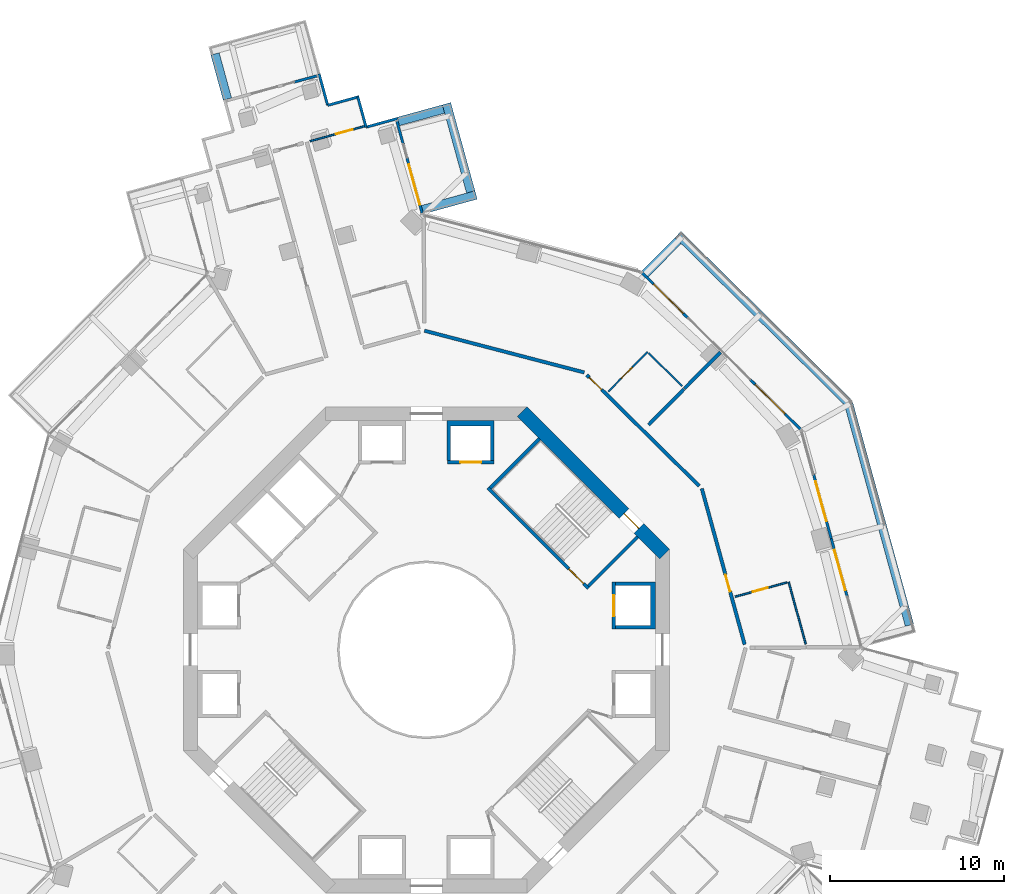
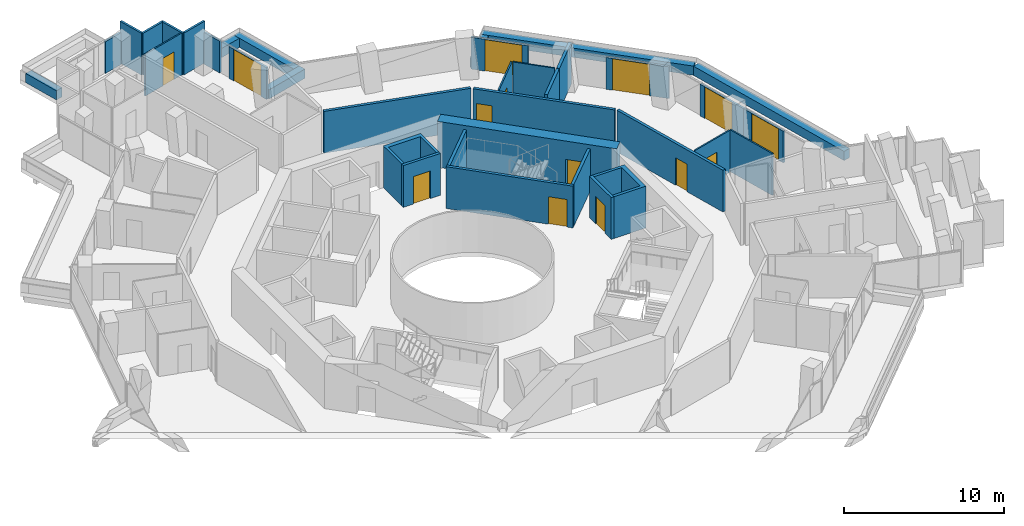
# One storey, part 22 of 26: 36 walls, 14 doors, 14 openings.
"""IFC4 building model written with IfcOpenShell, lengths in metres."""

from ifc_helpers import new_model, si_unit, direction, frame, frame_2d, origin, place, context, subcontext, project, spatial, polyline, rectangle, outline, extrude, material, layer, layer_set, type_object, element, fill, save


model = new_model("IFC4")

# Units and contexts
model_context = context("Model", 3, precision=1e-05, world=origin(), true_north=direction((0.0, 1.0)))
body_context = subcontext(model_context, "Body", "Model", "MODEL_VIEW")
ifc_project = project(units=[si_unit("LENGTHUNIT", "METRE"), si_unit("AREAUNIT", "SQUARE_METRE"), si_unit("VOLUMEUNIT", "CUBIC_METRE"), si_unit("PLANEANGLEUNIT", "RADIAN"), si_unit("MASSUNIT", "GRAM", prefix="KILO")], contexts=[model_context])

# Site, building, storey
site_placement = place(None, origin())
site = spatial("IfcSite", under=ifc_project, at=site_placement, CompositionType="ELEMENT")
building_placement = place(site_placement, origin())
building = spatial("IfcBuilding", under=site, at=building_placement, Name="Verdalira Terraces Hotel", CompositionType="ELEMENT")
storey_placement = place(building_placement, frame((0.0, 0.0, 96.5)))
storey = spatial("IfcBuildingStorey", under=building, at=storey_placement, Name="L22", CompositionType="ELEMENT", Elevation=96.5)

# Walls
ifc_material_1 = material(Name="Concrete C40", Category="concrete")
ifc_layer_1 = layer(ifc_material_1, 0.5)
ifc_layer_set_1 = layer_set([ifc_layer_1], Name="Balcony planter trough with tree")
wall_type_1 = type_object("IfcWallType", Name="Balcony planter trough with tree", PredefinedType="SOLIDWALL", material=ifc_layer_set_1)
wall_1_placement = place(storey_placement, frame((-12.178223, 34.329102, 0.0), z_axis=(0.0, 0.0, 1.0), x_axis=(0.264862126, -0.964286293, 0.0)))
element("IfcWall", 1, at=wall_1_placement, inside=storey, type_object=wall_type_1, Name="Balcony planter", PredefinedType="SOLIDWALL", context=body_context, shape_type="SweptSolid", body=[
    extrude(rectangle(XDim=2.698975, YDim=0.5, at=frame_2d((1.349609, 0.0))), origin(), (0.0, 0.0, 1.0), 0.699951),
])
wall_2_placement = place(storey_placement, frame((27.825684, 1.421387, 0.0), z_axis=(0.0, 0.0, 1.0), x_axis=(-0.264886985, 0.964279464, 0.0)))
element("IfcWall", 2, at=wall_2_placement, inside=storey, type_object=wall_type_1, Name="Balcony planter", PredefinedType="SOLIDWALL", context=body_context, shape_type="SweptSolid", body=[
    extrude(rectangle(XDim=13.223389, YDim=0.5, at=frame_2d((6.611816, 0.0))), origin(), (0.0, 0.0, 1.0), 0.699951),
])
wall_3_placement = place(storey_placement, frame((24.257568, 14.28418, 0.0), z_axis=(0.0, 0.0, 1.0), x_axis=(-0.711531471, 0.702654229, 0.0)))
element("IfcWall", 3, at=wall_3_placement, inside=storey, type_object=wall_type_1, Name="Balcony planter", PredefinedType="SOLIDWALL", context=body_context, shape_type="SweptSolid", body=[
    extrude(rectangle(XDim=13.723389, YDim=0.5, at=frame_2d((6.861816, 0.0))), origin(), (0.0, 0.0, 1.0), 0.699951),
])
wall_4_placement = place(storey_placement, frame((14.495117, 23.573486, 0.0), z_axis=(0.0, 0.0, 1.0), x_axis=(-0.702615333, -0.71156988, 0.0)))
element("IfcWall", 4, at=wall_4_placement, inside=storey, type_object=wall_type_1, Name="Balcony planter", PredefinedType="SOLIDWALL", context=body_context, shape_type="SweptSolid", body=[
    extrude(rectangle(XDim=2.699219, YDim=0.5, at=frame_2d((1.349609, 0.0))), origin(), (0.0, 0.0, 1.0), 0.699951),
])
wall_5_placement = place(storey_placement, frame((-0.223145, 25.35498, 0.0), z_axis=(0.0, 0.0, 1.0), x_axis=(0.964276089, 0.264899272, 0.0)))
element("IfcWall", 5, at=wall_5_placement, inside=storey, type_object=wall_type_1, Name="Balcony planter", PredefinedType="SOLIDWALL", context=body_context, shape_type="SweptSolid", body=[
    extrude(rectangle(XDim=3.198975, YDim=0.5, at=frame_2d((1.599609, 0.0))), origin(), (0.0, 0.0, 1.0), 0.699951),
])
wall_6_placement = place(storey_placement, frame((2.554443, 26.377197, 0.0), z_axis=(0.0, 0.0, 1.0), x_axis=(-0.264880843, 0.964281151, 0.0)))
element("IfcWall", 6, at=wall_6_placement, inside=storey, type_object=wall_type_1, Name="Balcony planter", PredefinedType="SOLIDWALL", context=body_context, shape_type="SweptSolid", body=[
    extrude(rectangle(XDim=5.270264, YDim=0.5, at=frame_2d((2.635254, 0.0))), origin(), (0.0, 0.0, 1.0), 0.699951),
])
wall_7_placement = place(storey_placement, frame((0.983398, 31.151855, 0.0), z_axis=(0.0, 0.0, 1.0), x_axis=(-0.964286293, -0.264862126, 0.0)))
element("IfcWall", 7, at=wall_7_placement, inside=storey, type_object=wall_type_1, Name="Balcony planter", PredefinedType="SOLIDWALL", context=body_context, shape_type="SweptSolid", body=[
    extrude(rectangle(XDim=2.698975, YDim=0.5, at=frame_2d((1.349609, 0.0))), origin(), (0.0, 0.0, 1.0), 0.699951),
])

# Wall, opening, door
ifc_material_2 = material(Name="Moisture-resistant gypsum board partition")
ifc_layer_2 = layer(ifc_material_2, 0.10009765625)
ifc_layer_set_2 = layer_set([ifc_layer_2], Name="Bathroom partition 100 mm")
wall_type_2 = type_object("IfcWallType", Name="Bathroom partition 100 mm", PredefinedType="PARTITIONING", material=ifc_layer_set_2)
wall_8_placement = place(storey_placement, frame((-3.564697, 30.161865, 0.0), z_axis=(0.0, 0.0, 1.0), x_axis=(-0.964284048, -0.264870299, 0.0)))
wall_8 = element("IfcWall", 8, at=wall_8_placement, inside=storey, type_object=wall_type_2, Name="Bathroom partition", PredefinedType="PARTITIONING", context=body_context, shape_type="SweptSolid", body=[
    extrude(rectangle(XDim=3.251953, YDim=0.100098, at=frame_2d((1.625977, 0.0))), origin(), (0.0, 0.0, 1.0), 3.189941),
])
opening_1_placement = place(wall_8_placement, frame((0.699951, 0.0, 0.0)))
opening_1 = element("IfcOpeningElement", 9, at=opening_1_placement, cuts=wall_8, Name="Opening L22-102", PredefinedType="OPENING", context=body_context, shape_type="SweptSolid", body=[
    extrude(rectangle(XDim=1.0, YDim=2.100098, at=frame_2d((0.5, 1.050049))), frame((0.0, 0.060059, 0.0), z_axis=(0.0, -1.0, 0.0), x_axis=(1.0, 0.0, 0.0)), (0.0, 0.0, 1.0), 0.120117),
])
ifc_material_3 = material(Name="Timber door", Category="wood")
door_type_1 = type_object("IfcDoorType", Name="Suite internal door 1000 x 2100", OperationType="NOTDEFINED", PredefinedType="DOOR", material=ifc_material_3)
door_1_placement = place(opening_1_placement, origin())
door_1 = element("IfcDoor", 10, at=door_1_placement, inside=storey, type_object=door_type_1, Name="Suite internal door 2201", OperationType="SINGLE_SWING_LEFT", OverallHeight=2.10009765625, OverallWidth=1.0, PredefinedType="DOOR", context=body_context, shape_type="SweptSolid", body=[
    extrude(rectangle(XDim=1.0, YDim=2.100098, at=frame_2d((0.5, 1.050049))), frame((0.0, 0.024902, 0.0), z_axis=(0.0, -1.0, 0.0), x_axis=(1.0, 0.0, 0.0)), (0.0, 0.0, 1.0), 0.050049),
])
fill(opening_1, door_1)

wall_9_placement = place(storey_placement, frame((12.732422, 17.162842, 0.0), z_axis=(0.0, 0.0, 1.0), x_axis=(-0.702667882, -0.711517988, 0.0)))
wall_9 = element("IfcWall", 11, at=wall_9_placement, inside=storey, type_object=wall_type_2, Name="Bathroom partition", PredefinedType="PARTITIONING", context=body_context, shape_type="SweptSolid", body=[
    extrude(rectangle(XDim=3.199951, YDim=0.100098, at=frame_2d((1.600098, 0.0))), origin(), (0.0, 0.0, 1.0), 3.189941),
])
opening_2_placement = place(wall_9_placement, frame((1.25, 0.0, 0.0)))
opening_2 = element("IfcOpeningElement", 12, at=opening_2_placement, cuts=wall_9, Name="Opening L22-135", PredefinedType="OPENING", context=body_context, shape_type="SweptSolid", body=[
    extrude(rectangle(XDim=0.899902, YDim=2.100098, at=frame_2d((0.449951, 1.050049))), frame((0.0, 0.060059, 0.0), z_axis=(0.0, -1.0, 0.0), x_axis=(1.0, 0.0, 0.0)), (0.0, 0.0, 1.0), 0.120117),
])
ifc_material_4 = material(Name="Timber door", Category="wood")
door_type_2 = type_object("IfcDoorType", Name="Bathroom door 900 x 2100", OperationType="NOTDEFINED", PredefinedType="DOOR", material=ifc_material_4)
door_2_placement = place(opening_2_placement, origin())
door_2 = element("IfcDoor", 13, at=door_2_placement, inside=storey, type_object=door_type_2, Name="Bathroom door 2214", OperationType="SINGLE_SWING_LEFT", OverallHeight=2.10009765625, OverallWidth=0.89990234375, PredefinedType="DOOR", context=body_context, shape_type="SweptSolid", body=[
    extrude(rectangle(XDim=0.899902, YDim=2.100098, at=frame_2d((0.449951, 1.050049))), frame((0.0, 0.024902, 0.0), z_axis=(0.0, -1.0, 0.0), x_axis=(1.0, 0.0, 0.0)), (0.0, 0.0, 1.0), 0.050049),
])
fill(opening_2, door_2)

# Wall
wall_10_placement = place(storey_placement, frame((12.803467, 17.092529, 0.0), z_axis=(0.0, 0.0, 1.0), x_axis=(0.711523533, -0.702662267, 0.0)))
element("IfcWall", 14, at=wall_10_placement, inside=storey, type_object=wall_type_2, Name="Bathroom partition", PredefinedType="PARTITIONING", context=body_context, shape_type="SweptSolid", body=[
    extrude(rectangle(XDim=2.699951, YDim=0.100098, at=frame_2d((1.350098, 0.0))), origin(), (0.0, 0.0, 1.0), 3.189941),
])

# Wall, opening, door
wall_11_placement = place(storey_placement, frame((20.771973, 3.882568, 0.0), z_axis=(0.0, 0.0, 1.0), x_axis=(-0.964267784, -0.264929502, 0.0)))
wall_11 = element("IfcWall", 15, at=wall_11_placement, inside=storey, type_object=wall_type_2, Name="Bathroom partition", PredefinedType="PARTITIONING", context=body_context, shape_type="SweptSolid", body=[
    extrude(rectangle(XDim=3.100098, YDim=0.100098, at=frame_2d((1.550049, 0.0))), origin(), (0.0, 0.0, 1.0), 3.189941),
])
opening_3_placement = place(wall_11_placement, frame((1.149902, 0.0, 0.0)))
opening_3 = element("IfcOpeningElement", 16, at=opening_3_placement, cuts=wall_11, Name="Opening L22-133", PredefinedType="OPENING", context=body_context, shape_type="SweptSolid", body=[
    extrude(rectangle(XDim=0.899902, YDim=2.100098, at=frame_2d((0.449951, 1.050049))), frame((0.0, 0.060059, 0.0), z_axis=(0.0, -1.0, 0.0), x_axis=(1.0, 0.0, 0.0)), (0.0, 0.0, 1.0), 0.120117),
])
door_3_placement = place(opening_3_placement, origin())
door_3 = element("IfcDoor", 17, at=door_3_placement, inside=storey, type_object=door_type_2, Name="Bathroom door 2213", OperationType="SINGLE_SWING_LEFT", OverallHeight=2.10009765625, OverallWidth=0.89990234375, PredefinedType="DOOR", context=body_context, shape_type="SweptSolid", body=[
    extrude(rectangle(XDim=0.899902, YDim=2.100098, at=frame_2d((0.449951, 1.050049))), frame((0.0, 0.024902, 0.0), z_axis=(0.0, -1.0, 0.0), x_axis=(1.0, 0.0, 0.0)), (0.0, 0.0, 1.0), 0.050049),
])
fill(opening_3, door_3)

# Walls
wall_12_placement = place(storey_placement, frame((20.868408, 3.908936, 0.0), z_axis=(0.0, 0.0, 1.0), x_axis=(0.264851593, -0.964289186, 0.0)))
element("IfcWall", 18, at=wall_12_placement, inside=storey, type_object=wall_type_2, Name="Bathroom partition", PredefinedType="PARTITIONING", context=body_context, shape_type="SweptSolid", body=[
    extrude(rectangle(XDim=3.703857, YDim=0.100098, at=frame_2d((1.852051, 0.0))), origin(), (0.0, 0.0, 1.0), 3.189941),
])
ifc_material_5 = material(Name="Concrete C50", Category="concrete")
ifc_layer_3 = layer(ifc_material_5, 0.199951171875)
ifc_layer_set_3 = layer_set([ifc_layer_3], Name="Core RC wall 200 C50")
wall_type_3 = type_object("IfcWallType", Name="Core RC wall 200 C50", PredefinedType="SOLIDWALL", material=ifc_layer_set_3)
wall_13_placement = place(storey_placement, origin())
element("IfcWall", 19, at=wall_13_placement, inside=storey, type_object=wall_type_3, Name="L22 shaft wall E2", PredefinedType="SOLIDWALL", context=body_context, shape_type="SweptSolid", body=[
    extrude(outline(polyline([(13.199951, 3.899902), (13.199951, 1.199951), (10.899902, 1.199951), (10.899902, 1.399902), (12.899902, 1.399902), (12.899902, 3.699951), (10.899902, 3.699951), (10.899902, 3.899902), (13.199951, 3.899902)])), origin(), (0.0, 0.0, 1.0), 3.189941),
])

# Wall, opening, door
wall_14_placement = place(storey_placement, frame((10.800049, 1.199951, 0.0), z_axis=(0.0, 0.0, 1.0), x_axis=(0.0, 1.0, 0.0)))
wall_14 = element("IfcWall", 20, at=wall_14_placement, inside=storey, type_object=wall_type_3, Name="L22 shaft front wall E2", PredefinedType="SOLIDWALL", context=body_context, shape_type="SweptSolid", body=[
    extrude(rectangle(XDim=2.699951, YDim=0.199951, at=frame_2d((1.350098, 0.0))), origin(), (0.0, 0.0, 1.0), 3.189941),
])
opening_4_placement = place(wall_14_placement, frame((0.75, 0.0, 0.0)))
opening_4 = element("IfcOpeningElement", 21, at=opening_4_placement, cuts=wall_14, Name="Opening LD-L22-802", PredefinedType="OPENING", context=body_context, shape_type="SweptSolid", body=[
    extrude(rectangle(XDim=1.199951, YDim=2.100098, at=frame_2d((0.600098, 1.050049))), frame((0.0, 0.109863, 0.0), z_axis=(0.0, -1.0, 0.0), x_axis=(1.0, 0.0, 0.0)), (0.0, 0.0, 1.0), 0.219971),
])
ifc_material_6 = material(Name="Stainless steel", Category="steel")
door_type_3 = type_object("IfcDoorType", Name="Landing door 1200 x 2100", OperationType="NOTDEFINED", PredefinedType="DOOR", material=ifc_material_6)
door_4_placement = place(opening_4_placement, origin())
door_4 = element("IfcDoor", 22, at=door_4_placement, inside=storey, type_object=door_type_3, Name="Lift landing door LR2 L22", OperationType="DOUBLE_DOOR_SLIDING", OverallHeight=2.10009765625, OverallWidth=1.199951171875, PredefinedType="DOOR", context=body_context, shape_type="SweptSolid", body=[
    extrude(rectangle(XDim=1.199951, YDim=2.100098, at=frame_2d((0.600098, 1.050049))), frame((0.0, 0.024902, 0.0), z_axis=(0.0, -1.0, 0.0), x_axis=(1.0, 0.0, 0.0)), (0.0, 0.0, 1.0), 0.050049),
])
fill(opening_4, door_4)

# Wall
wall_15_placement = place(storey_placement, origin())
element("IfcWall", 23, at=wall_15_placement, inside=storey, type_object=wall_type_3, Name="L22 shaft wall N1", PredefinedType="SOLIDWALL", context=body_context, shape_type="SweptSolid", body=[
    extrude(outline(polyline([(3.899902, 13.199951), (3.899902, 10.899902), (3.699951, 10.899902), (3.699951, 12.899902), (1.399902, 12.899902), (1.399902, 10.899902), (1.199951, 10.899902), (1.199951, 13.199951), (3.899902, 13.199951)])), origin(), (0.0, 0.0, 1.0), 3.189941),
])

# Wall, opening, door
wall_16_placement = place(storey_placement, frame((1.199951, 10.800049, 0.0), z_axis=(0.0, 0.0, 1.0), x_axis=(1.0, 0.0, 0.0)))
wall_16 = element("IfcWall", 24, at=wall_16_placement, inside=storey, type_object=wall_type_3, Name="L22 shaft front wall N1", PredefinedType="SOLIDWALL", context=body_context, shape_type="SweptSolid", body=[
    extrude(rectangle(XDim=2.699951, YDim=0.199951, at=frame_2d((1.350098, 0.0))), origin(), (0.0, 0.0, 1.0), 3.189941),
])
opening_5_placement = place(wall_16_placement, frame((0.75, 0.0, 0.0)))
opening_5 = element("IfcOpeningElement", 25, at=opening_5_placement, cuts=wall_16, Name="Opening LD-L22-803", PredefinedType="OPENING", context=body_context, shape_type="SweptSolid", body=[
    extrude(rectangle(XDim=1.199951, YDim=2.100098, at=frame_2d((0.600098, 1.050049))), frame((0.0, 0.109863, 0.0), z_axis=(0.0, -1.0, 0.0), x_axis=(1.0, 0.0, 0.0)), (0.0, 0.0, 1.0), 0.219971),
])
door_5_placement = place(opening_5_placement, origin())
door_5 = element("IfcDoor", 26, at=door_5_placement, inside=storey, type_object=door_type_3, Name="Lift landing door LR3 L22", OperationType="DOUBLE_DOOR_SLIDING", OverallHeight=2.10009765625, OverallWidth=1.199951171875, PredefinedType="DOOR", context=body_context, shape_type="SweptSolid", body=[
    extrude(rectangle(XDim=1.199951, YDim=2.100098, at=frame_2d((0.600098, 1.050049))), frame((0.0, 0.024902, 0.0), z_axis=(0.0, -1.0, 0.0), x_axis=(1.0, 0.0, 0.0)), (0.0, 0.0, 1.0), 0.050049),
])
fill(opening_5, door_5)

wall_17_placement = place(storey_placement, frame((3.5354, 9.33374, 0.0), z_axis=(0.0, 0.0, 1.0), x_axis=(0.707106781, -0.707106781, 0.0)))
wall_17 = element("IfcWall", 27, at=wall_17_placement, inside=storey, type_object=wall_type_3, Name="L22 stair ST1 front wall", PredefinedType="SOLIDWALL", context=body_context, shape_type="SweptSolid", body=[
    extrude(rectangle(XDim=8.200195, YDim=0.199951, at=frame_2d((4.100098, 0.0))), origin(), (0.0, 0.0, 1.0), 3.189941),
])
opening_6_placement = place(wall_17_placement, frame((6.600098, 0.0, 0.0)))
opening_6 = element("IfcOpeningElement", 28, at=opening_6_placement, cuts=wall_17, Name="Opening L22-809", PredefinedType="OPENING", context=body_context, shape_type="SweptSolid", body=[
    extrude(rectangle(XDim=1.199951, YDim=2.100098, at=frame_2d((0.600098, 1.050049))), frame((0.0, 0.109863, 0.0), z_axis=(0.0, -1.0, 0.0), x_axis=(1.0, 0.0, 0.0)), (0.0, 0.0, 1.0), 0.219971),
])
ifc_material_7 = material(Name="Steel fire door", Category="steel")
door_type_4 = type_object("IfcDoorType", Name="Stair door 1200 x 2100", OperationType="NOTDEFINED", PredefinedType="DOOR", material=ifc_material_7)
door_6_placement = place(opening_6_placement, origin())
door_6 = element("IfcDoor", 29, at=door_6_placement, inside=storey, type_object=door_type_4, Name="Stair door ST1 L22", OperationType="SINGLE_SWING_RIGHT", OverallHeight=2.10009765625, OverallWidth=1.199951171875, PredefinedType="DOOR", context=body_context, shape_type="SweptSolid", body=[
    extrude(rectangle(XDim=1.199951, YDim=2.100098, at=frame_2d((0.600098, 1.050049))), frame((0.0, 0.024902, 0.0), z_axis=(0.0, -1.0, 0.0), x_axis=(1.0, 0.0, 0.0)), (0.0, 0.0, 1.0), 0.050049),
])
fill(opening_6, door_6)

# Walls
for number, where, z_axis, x_axis, name in (
    (30, (9.33374, 3.677002, 0.0), (0.0, 0.0, 1.0), (0.707106781, 0.707106781, 0.0), "L22 stair ST1 end wall 1"),
    (31, (3.677002, 9.33374, 0.0), (0.0, 0.0, 1.0), (0.707106781, 0.707106781, 0.0), "L22 stair ST1 end wall 2"),
):
    element("IfcWall", number, at=place(storey_placement, frame(where, z_axis=z_axis, x_axis=x_axis)), inside=storey, type_object=wall_type_3, Name=name, PredefinedType="SOLIDWALL", context=body_context, shape_type="SweptSolid", body=[
        extrude(rectangle(XDim=4.0, YDim=0.199951, at=frame_2d((2.0, 0.0))), origin(), (0.0, 0.0, 1.0), 3.189941),
    ])

# Wall, opening, door
ifc_material_8 = material(Name="Concrete C70", Category="concrete")
ifc_layer_4 = layer(ifc_material_8, 0.800048828125)
ifc_layer_set_4 = layer_set([ifc_layer_4], Name="Core wall 800 C70")
wall_type_4 = type_object("IfcWallType", Name="Core wall 800 C70", PredefinedType="SHEAR", material=ifc_layer_set_4)
wall_18_placement = place(storey_placement, frame((13.717285, 5.516113, 0.0), z_axis=(0.0, 0.0, 1.0), x_axis=(-0.707106781, 0.707106781, 0.0)))
wall_18 = element("IfcWall", 32, at=wall_18_placement, inside=storey, type_object=wall_type_4, Name="Core wall CW-L22-2", PredefinedType="SHEAR", context=body_context, shape_type="SweptSolid", body=[
    extrude(rectangle(XDim=11.598145, YDim=0.800049, at=frame_2d((5.799072, 0.0))), origin(), (0.0, 0.0, 1.0), 3.5),
])
opening_7_placement = place(wall_18_placement, frame((2.099121, 0.0, 0.0)))
opening_7 = element("IfcOpeningElement", 33, at=opening_7_placement, cuts=wall_18, Name="Opening L22-816", PredefinedType="OPENING", context=body_context, shape_type="SweptSolid", body=[
    extrude(rectangle(XDim=1.199951, YDim=2.100098, at=frame_2d((0.600098, 1.050049))), frame((0.0, 0.409912, 0.0), z_axis=(0.0, -1.0, 0.0), x_axis=(1.0, 0.0, 0.0)), (0.0, 0.0, 1.0), 0.820068),
])
door_7_placement = place(opening_7_placement, origin())
door_7 = element("IfcDoor", 34, at=door_7_placement, inside=storey, type_object=door_type_4, Name="Stair exit door ST1 L22", OperationType="SINGLE_SWING_LEFT", OverallHeight=2.10009765625, OverallWidth=1.199951171875, PredefinedType="DOOR", context=body_context, shape_type="SweptSolid", body=[
    extrude(rectangle(XDim=1.199951, YDim=2.100098, at=frame_2d((0.600098, 1.050049))), frame((0.0, 0.024902, 0.0), z_axis=(0.0, -1.0, 0.0), x_axis=(1.0, 0.0, 0.0)), (0.0, 0.0, 1.0), 0.050049),
])
fill(opening_7, door_7)

# Walls
ifc_material_9 = material(Name="Fire-rated gypsum board wall")
ifc_layer_5 = layer(ifc_material_9, 0.199951171875)
ifc_layer_set_5 = layer_set([ifc_layer_5], Name="Demising wall 200 mm")
wall_type_5 = type_object("IfcWallType", Name="Demising wall 200 mm", PredefinedType="SOLIDWALL", material=ifc_layer_set_5)
wall_19_placement = place(storey_placement, frame((12.792236, 12.953857, 0.0), z_axis=(0.0, 0.0, 1.0), x_axis=(0.702638225, 0.711547275, 0.0)))
element("IfcWall", 35, at=wall_19_placement, inside=storey, type_object=wall_type_5, Name="Demising wall", PredefinedType="SOLIDWALL", context=body_context, shape_type="SweptSolid", body=[
    extrude(rectangle(XDim=2.904785, YDim=0.199951, at=frame_2d((1.452393, 0.0))), origin(), (0.0, 0.0, 1.0), 3.189941),
])
wall_20_placement = place(storey_placement, frame((14.865479, 15.053467, 0.0), z_axis=(0.0, 0.0, 1.0), x_axis=(0.702668179, 0.711517695, 0.0)))
element("IfcWall", 36, at=wall_20_placement, inside=storey, type_object=wall_type_5, Name="Demising wall", PredefinedType="SOLIDWALL", context=body_context, shape_type="SweptSolid", body=[
    extrude(rectangle(XDim=2.951904, YDim=0.199951, at=frame_2d((1.476074, 0.0))), origin(), (0.0, 0.0, 1.0), 3.189941),
])
ifc_material_10 = material(Name="Fire-rated gypsum board wall")
ifc_layer_6 = layer(ifc_material_10, 0.199951171875)
ifc_layer_set_6 = layer_set([ifc_layer_6], Name="Guest corridor wall 200 mm")
wall_type_6 = type_object("IfcWallType", Name="Guest corridor wall 200 mm", PredefinedType="SOLIDWALL", material=ifc_layer_set_6)
wall_21_placement = place(storey_placement, frame((9.091553, 15.979248, 0.0), z_axis=(0.0, 0.0, 1.0), x_axis=(-0.967528939, 0.252760265, 0.0)))
element("IfcWall", 37, at=wall_21_placement, inside=storey, type_object=wall_type_6, Name="Guest corridor wall", PredefinedType="SOLIDWALL", context=body_context, shape_type="SweptSolid", body=[
    extrude(rectangle(XDim=9.516113, YDim=0.199951, at=frame_2d((4.758057, 0.0))), origin(), (0.0, 0.0, 1.0), 3.189941),
])

# Wall, opening, door
wall_22_placement = place(storey_placement, frame((9.234863, 15.838135, 0.0), z_axis=(0.0, 0.0, 1.0), x_axis=(0.71153875, -0.702646859, 0.0)))
wall_22 = element("IfcWall", 38, at=wall_22_placement, inside=storey, type_object=wall_type_6, Name="Guest corridor wall", PredefinedType="SOLIDWALL", context=body_context, shape_type="SweptSolid", body=[
    extrude(rectangle(XDim=9.115479, YDim=0.199951, at=frame_2d((4.557617, 0.0))), origin(), (0.0, 0.0, 1.0), 3.189941),
])
opening_8_placement = place(wall_22_placement, frame((0.199951, 0.0, 0.0)))
opening_8 = element("IfcOpeningElement", 39, at=opening_8_placement, cuts=wall_22, Name="Opening L22-134", PredefinedType="OPENING", context=body_context, shape_type="SweptSolid", body=[
    extrude(rectangle(XDim=1.0, YDim=2.100098, at=frame_2d((0.5, 1.050049))), frame((0.0, 0.109863, 0.0), z_axis=(0.0, -1.0, 0.0), x_axis=(1.0, 0.0, 0.0)), (0.0, 0.0, 1.0), 0.219971),
])
ifc_material_11 = material(Name="Timber fire door", Category="wood")
door_type_5 = type_object("IfcDoorType", Name="Guest entry door 1000 x 2100", OperationType="NOTDEFINED", PredefinedType="DOOR", material=ifc_material_11)
door_8_placement = place(opening_8_placement, origin())
door_8 = element("IfcDoor", 40, at=door_8_placement, inside=storey, type_object=door_type_5, Name="Guest entry door 2214", OperationType="SINGLE_SWING_LEFT", OverallHeight=2.10009765625, OverallWidth=1.0, PredefinedType="DOOR", context=body_context, shape_type="SweptSolid", body=[
    extrude(rectangle(XDim=1.0, YDim=2.100098, at=frame_2d((0.5, 1.050049))), frame((0.0, 0.024902, 0.0), z_axis=(0.0, -1.0, 0.0), x_axis=(1.0, 0.0, 0.0)), (0.0, 0.0, 1.0), 0.050049),
])
fill(opening_8, door_8)

wall_23_placement = place(storey_placement, frame((15.86377, 9.291748, 0.0), z_axis=(0.0, 0.0, 1.0), x_axis=(0.264866543, -0.96428508, 0.0)))
wall_23 = element("IfcWall", 41, at=wall_23_placement, inside=storey, type_object=wall_type_6, Name="Guest corridor wall", PredefinedType="SOLIDWALL", context=body_context, shape_type="SweptSolid", body=[
    extrude(rectangle(XDim=9.316162, YDim=0.199951, at=frame_2d((4.658203, 0.0))), origin(), (0.0, 0.0, 1.0), 3.189941),
])
opening_9_placement = place(wall_23_placement, frame((5.149902, 0.0, 0.0)))
opening_9 = element("IfcOpeningElement", 42, at=opening_9_placement, cuts=wall_23, Name="Opening L22-132", PredefinedType="OPENING", context=body_context, shape_type="SweptSolid", body=[
    extrude(rectangle(XDim=1.0, YDim=2.100098, at=frame_2d((0.5, 1.050049))), frame((0.0, 0.109863, 0.0), z_axis=(0.0, -1.0, 0.0), x_axis=(1.0, 0.0, 0.0)), (0.0, 0.0, 1.0), 0.219971),
])
door_9_placement = place(opening_9_placement, origin())
door_9 = element("IfcDoor", 43, at=door_9_placement, inside=storey, type_object=door_type_5, Name="Guest entry door 2213", OperationType="SINGLE_SWING_LEFT", OverallHeight=2.10009765625, OverallWidth=1.0, PredefinedType="DOOR", context=body_context, shape_type="SweptSolid", body=[
    extrude(rectangle(XDim=1.0, YDim=2.100098, at=frame_2d((0.5, 1.050049))), frame((0.0, 0.024902, 0.0), z_axis=(0.0, -1.0, 0.0), x_axis=(1.0, 0.0, 0.0)), (0.0, 0.0, 1.0), 0.050049),
])
fill(opening_9, door_9)

# Walls
ifc_material_12 = material(Name="Terracotta cladding", Category="masonry")
ifc_layer_7 = layer(ifc_material_12, 0.14990234375)
ifc_layer_set_7 = layer_set([ifc_layer_7], Name="Terracotta clad wall 150")
wall_type_7 = type_object("IfcWallType", Name="Terracotta clad wall 150", PredefinedType="SOLIDWALL", material=ifc_layer_set_7)
wall_24_placement = place(storey_placement, frame((-1.666504, 30.605469, 0.0), z_axis=(0.0, 0.0, 1.0), x_axis=(-0.964284421, -0.264868941, 0.0)))
element("IfcWall", 44, at=wall_24_placement, inside=storey, type_object=wall_type_7, Name="Terracotta cladding wall", PredefinedType="SOLIDWALL", context=body_context, shape_type="SweptSolid", body=[
    extrude(rectangle(XDim=1.874756, YDim=0.149902, at=frame_2d((0.9375, 0.0))), origin(), (0.0, 0.0, 1.0), 3.189941),
])
wall_25_placement = place(storey_placement, frame((-3.474365, 30.108887, 0.0), z_axis=(0.0, 0.0, 1.0), x_axis=(-0.264907418, 0.964273851, 0.0)))
element("IfcWall", 45, at=wall_25_placement, inside=storey, type_object=wall_type_7, Name="Terracotta cladding wall", PredefinedType="SOLIDWALL", context=body_context, shape_type="SweptSolid", body=[
    extrude(rectangle(XDim=1.799805, YDim=0.149902, at=frame_2d((0.899902, 0.0))), origin(), (0.0, 0.0, 1.0), 3.189941),
])
for number, where, z_axis, x_axis, name in (
    (46, (-3.878906, 31.864502, 0.0), (0.0, 0.0, 1.0), (-0.964260297, -0.264956752, 0.0), "Terracotta cladding wall"),
    (47, (-5.687012, 31.367676, 0.0), (0.0, 0.0, 1.0), (-0.264835686, 0.964293555, 0.0), "Terracotta cladding wall"),
):
    element("IfcWall", number, at=place(storey_placement, frame(where, z_axis=z_axis, x_axis=x_axis)), inside=storey, type_object=wall_type_7, Name=name, PredefinedType="SOLIDWALL", context=body_context, shape_type="SweptSolid", body=[
        extrude(rectangle(XDim=1.875, YDim=0.149902, at=frame_2d((0.9375, 0.0))), origin(), (0.0, 0.0, 1.0), 3.189941),
    ])
ifc_material_13 = material(Name="Terracotta cladding", Category="masonry")
ifc_layer_8 = layer(ifc_material_13, 0.14990234375)
ifc_layer_set_8 = layer_set([ifc_layer_8], Name="Terracotta column pier 150")
wall_type_8 = type_object("IfcWallType", Name="Terracotta column pier 150", PredefinedType="SOLIDWALL", material=ifc_layer_set_8)
wall_26_placement = place(storey_placement, frame((-1.338135, 29.126953, 0.0), z_axis=(0.0, 0.0, 1.0), x_axis=(-0.264899246, 0.964276096, 0.0)))
element("IfcWall", 48, at=wall_26_placement, inside=storey, type_object=wall_type_8, Name="Terracotta column pier", PredefinedType="SOLIDWALL", context=body_context, shape_type="SweptSolid", body=[
    extrude(rectangle(XDim=1.367676, YDim=0.149902, at=frame_2d((0.683838, 0.0))), origin(), (0.0, 0.0, 1.0), 2.425049),
])
wall_27_placement = place(storey_placement, frame((-6.313232, 33.0625, 0.0), z_axis=(0.0, 0.0, 1.0), x_axis=(-0.96424196, -0.265023476, 0.0)))
element("IfcWall", 49, at=wall_27_placement, inside=storey, type_object=wall_type_8, Name="Terracotta column pier", PredefinedType="SOLIDWALL", context=body_context, shape_type="SweptSolid", body=[
    extrude(rectangle(XDim=1.365234, YDim=0.149902, at=frame_2d((0.682617, 0.0))), origin(), (0.0, 0.0, 1.0), 2.425049),
])

# Wall, opening, door
ifc_material_14 = material(Name="Terracotta cladding", Category="masonry")
ifc_layer_9 = layer(ifc_material_14, 0.14990234375)
ifc_layer_set_9 = layer_set([ifc_layer_9], Name="Terracotta door pier 150")
wall_type_9 = type_object("IfcWallType", Name="Terracotta door pier 150", PredefinedType="SOLIDWALL", material=ifc_layer_set_9)
wall_28_placement = place(storey_placement, frame((-0.248779, 25.161133, 0.0), z_axis=(0.0, 0.0, 1.0), x_axis=(-0.264848083, 0.96429015, 0.0)))
wall_28 = element("IfcWall", 50, at=wall_28_placement, inside=storey, type_object=wall_type_9, Name="Terracotta door pier", PredefinedType="SOLIDWALL", context=body_context, shape_type="SweptSolid", body=[
    extrude(rectangle(XDim=3.293701, YDim=0.149902, at=frame_2d((1.646973, 0.0))), origin(), (0.0, 0.0, 1.0), 2.425049),
])
opening_10_placement = place(wall_28_placement, frame((0.493652, 0.0, 0.0)))
opening_10 = element("IfcOpeningElement", 51, at=opening_10_placement, cuts=wall_28, Name="Opening L22-B01", PredefinedType="OPENING", context=body_context, shape_type="SweptSolid", body=[
    extrude(rectangle(XDim=2.399902, YDim=2.399902, at=frame_2d((1.199951, 1.199951))), frame((0.0, 0.084961, 0.0), z_axis=(0.0, -1.0, 0.0), x_axis=(1.0, 0.0, 0.0)), (0.0, 0.0, 1.0), 0.169922),
])
ifc_material_15 = material(Name="Clear glass", Category="glass")
door_type_6 = type_object("IfcDoorType", Name="Balcony sliding door 2400x2400", OperationType="NOTDEFINED", PredefinedType="DOOR", material=ifc_material_15)
door_10_placement = place(opening_10_placement, origin())
door_10 = element("IfcDoor", 52, at=door_10_placement, inside=storey, type_object=door_type_6, Name="Balcony sliding door", OperationType="SLIDING_TO_LEFT", OverallHeight=2.39990234375, OverallWidth=2.39990234375, PredefinedType="DOOR", context=body_context, shape_type="SweptSolid", body=[
    extrude(rectangle(XDim=2.399902, YDim=2.399902, at=frame_2d((1.199951, 1.199951))), frame((0.0, 0.024902, 0.0), z_axis=(0.0, -1.0, 0.0), x_axis=(1.0, 0.0, 0.0)), (0.0, 0.0, 1.0), 0.050049),
])
fill(opening_10, door_10)

wall_29_placement = place(storey_placement, frame((24.23999, 3.054932, 0.0), z_axis=(0.0, 0.0, 1.0), x_axis=(-0.264870706, 0.964283936, 0.0)))
wall_29 = element("IfcWall", 53, at=wall_29_placement, inside=storey, type_object=wall_type_9, Name="Terracotta door pier", PredefinedType="SOLIDWALL", context=body_context, shape_type="SweptSolid", body=[
    extrude(rectangle(XDim=3.474854, YDim=0.149902, at=frame_2d((1.737305, 0.0))), origin(), (0.0, 0.0, 1.0), 2.425049),
])
opening_11_placement = place(wall_29_placement, frame((0.399902, 0.0, 0.0)))
opening_11 = element("IfcOpeningElement", 54, at=opening_11_placement, cuts=wall_29, Name="Opening L22-B17", PredefinedType="OPENING", context=body_context, shape_type="SweptSolid", body=[
    extrude(rectangle(XDim=2.399902, YDim=2.399902, at=frame_2d((1.199951, 1.199951))), frame((0.0, 0.084961, 0.0), z_axis=(0.0, -1.0, 0.0), x_axis=(1.0, 0.0, 0.0)), (0.0, 0.0, 1.0), 0.169922),
])
door_11_placement = place(opening_11_placement, origin())
door_11 = element("IfcDoor", 55, at=door_11_placement, inside=storey, type_object=door_type_6, Name="Balcony sliding door", OperationType="SLIDING_TO_RIGHT", OverallHeight=2.39990234375, OverallWidth=2.39990234375, PredefinedType="DOOR", context=body_context, shape_type="SweptSolid", body=[
    extrude(rectangle(XDim=2.399902, YDim=2.399902, at=frame_2d((1.199951, 1.199951))), frame((0.0, 0.024902, 0.0), z_axis=(0.0, -1.0, 0.0), x_axis=(1.0, 0.0, 0.0)), (0.0, 0.0, 1.0), 0.050049),
])
fill(opening_11, door_11)

wall_30_placement = place(storey_placement, frame((23.31958, 6.405762, 0.0), z_axis=(0.0, 0.0, 1.0), x_axis=(-0.264921246, 0.964270052, 0.0)))
wall_30 = element("IfcWall", 56, at=wall_30_placement, inside=storey, type_object=wall_type_9, Name="Terracotta door pier", PredefinedType="SOLIDWALL", context=body_context, shape_type="SweptSolid", body=[
    extrude(rectangle(XDim=3.835449, YDim=0.149902, at=frame_2d((1.917725, 0.0))), origin(), (0.0, 0.0, 1.0), 2.425049),
])
opening_12_placement = place(wall_30_placement, frame((1.0354, 0.0, 0.0)))
opening_12 = element("IfcOpeningElement", 57, at=opening_12_placement, cuts=wall_30, Name="Opening L22-B18", PredefinedType="OPENING", context=body_context, shape_type="SweptSolid", body=[
    extrude(rectangle(XDim=2.399902, YDim=2.399902, at=frame_2d((1.199951, 1.199951))), frame((0.0, 0.084961, 0.0), z_axis=(0.0, -1.0, 0.0), x_axis=(1.0, 0.0, 0.0)), (0.0, 0.0, 1.0), 0.169922),
])
door_12_placement = place(opening_12_placement, origin())
door_12 = element("IfcDoor", 58, at=door_12_placement, inside=storey, type_object=door_type_6, Name="Balcony sliding door", OperationType="SLIDING_TO_LEFT", OverallHeight=2.39990234375, OverallWidth=2.39990234375, PredefinedType="DOOR", context=body_context, shape_type="SweptSolid", body=[
    extrude(rectangle(XDim=2.399902, YDim=2.399902, at=frame_2d((1.199951, 1.199951))), frame((0.0, 0.024902, 0.0), z_axis=(0.0, -1.0, 0.0), x_axis=(1.0, 0.0, 0.0)), (0.0, 0.0, 1.0), 0.050049),
])
fill(opening_12, door_12)

wall_31_placement = place(storey_placement, frame((21.546143, 12.710449, 0.0), z_axis=(0.0, 0.0, 1.0), x_axis=(-0.711563926, 0.702621363, 0.0)))
wall_31 = element("IfcWall", 59, at=wall_31_placement, inside=storey, type_object=wall_type_9, Name="Terracotta door pier", PredefinedType="SOLIDWALL", context=body_context, shape_type="SweptSolid", body=[
    extrude(rectangle(XDim=4.067871, YDim=0.149902, at=frame_2d((2.033936, 0.0))), origin(), (0.0, 0.0, 1.0), 2.425049),
])
opening_13_placement = place(wall_31_placement, frame((1.267822, 0.0, 0.0)))
opening_13 = element("IfcOpeningElement", 60, at=opening_13_placement, cuts=wall_31, Name="Opening L22-B19", PredefinedType="OPENING", context=body_context, shape_type="SweptSolid", body=[
    extrude(rectangle(XDim=2.399902, YDim=2.399902, at=frame_2d((1.199951, 1.199951))), frame((0.0, 0.084961, 0.0), z_axis=(0.0, -1.0, 0.0), x_axis=(1.0, 0.0, 0.0)), (0.0, 0.0, 1.0), 0.169922),
])
door_13_placement = place(opening_13_placement, origin())
door_13 = element("IfcDoor", 61, at=door_13_placement, inside=storey, type_object=door_type_6, Name="Balcony sliding door", OperationType="SLIDING_TO_LEFT", OverallHeight=2.39990234375, OverallWidth=2.39990234375, PredefinedType="DOOR", context=body_context, shape_type="SweptSolid", body=[
    extrude(rectangle(XDim=2.399902, YDim=2.399902, at=frame_2d((1.199951, 1.199951))), frame((0.0, 0.024902, 0.0), z_axis=(0.0, -1.0, 0.0), x_axis=(1.0, 0.0, 0.0)), (0.0, 0.0, 1.0), 0.050049),
])
fill(opening_13, door_13)

wall_32_placement = place(storey_placement, frame((15.078613, 19.097168, 0.0), z_axis=(0.0, 0.0, 1.0), x_axis=(-0.711534575, 0.702651086, 0.0)))
wall_32 = element("IfcWall", 62, at=wall_32_placement, inside=storey, type_object=wall_type_9, Name="Terracotta door pier", PredefinedType="SOLIDWALL", context=body_context, shape_type="SweptSolid", body=[
    extrude(rectangle(XDim=3.710205, YDim=0.149902, at=frame_2d((1.85498, 0.0))), origin(), (0.0, 0.0, 1.0), 2.425049),
])
opening_14_placement = place(wall_32_placement, frame((0.399902, 0.0, 0.0)))
opening_14 = element("IfcOpeningElement", 63, at=opening_14_placement, cuts=wall_32, Name="Opening L22-B20", PredefinedType="OPENING", context=body_context, shape_type="SweptSolid", body=[
    extrude(rectangle(XDim=2.399902, YDim=2.399902, at=frame_2d((1.199951, 1.199951))), frame((0.0, 0.084961, 0.0), z_axis=(0.0, -1.0, 0.0), x_axis=(1.0, 0.0, 0.0)), (0.0, 0.0, 1.0), 0.169922),
])
door_14_placement = place(opening_14_placement, origin())
door_14 = element("IfcDoor", 64, at=door_14_placement, inside=storey, type_object=door_type_6, Name="Balcony sliding door", OperationType="SLIDING_TO_RIGHT", OverallHeight=2.39990234375, OverallWidth=2.39990234375, PredefinedType="DOOR", context=body_context, shape_type="SweptSolid", body=[
    extrude(rectangle(XDim=2.399902, YDim=2.399902, at=frame_2d((1.199951, 1.199951))), frame((0.0, 0.024902, 0.0), z_axis=(0.0, -1.0, 0.0), x_axis=(1.0, 0.0, 0.0)), (0.0, 0.0, 1.0), 0.050049),
])
fill(opening_14, door_14)

save(model, "model.ifc")
